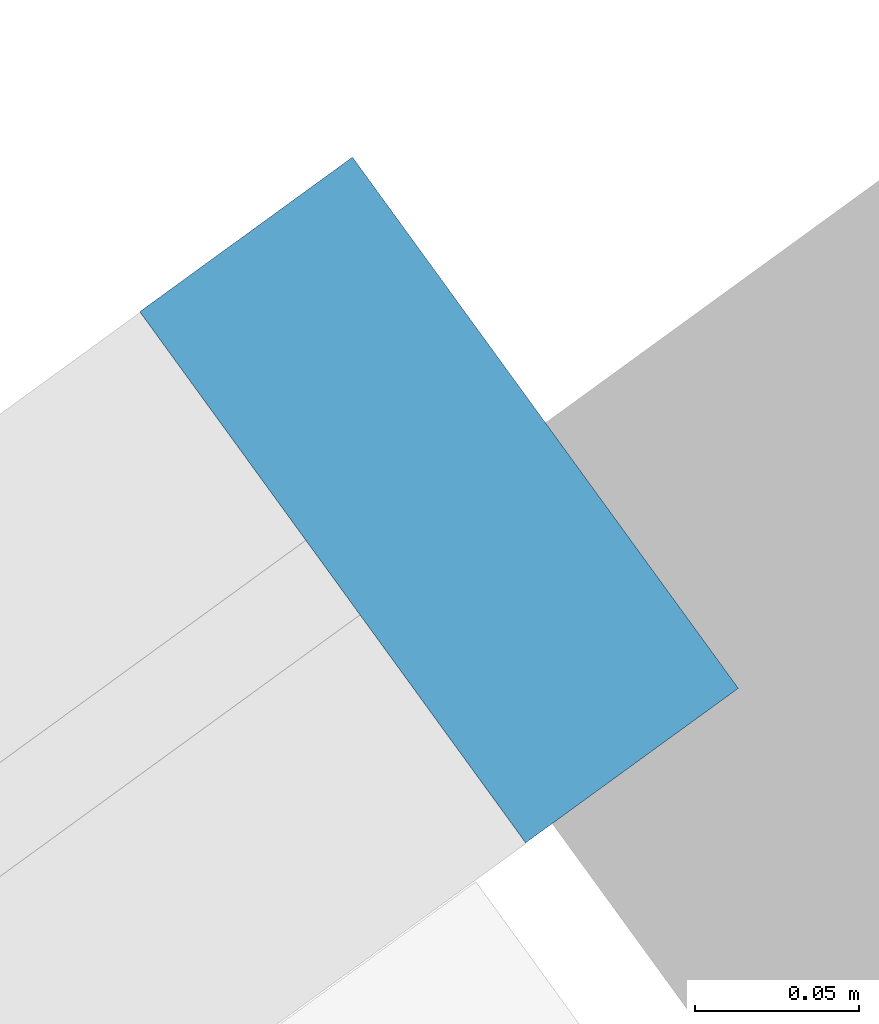
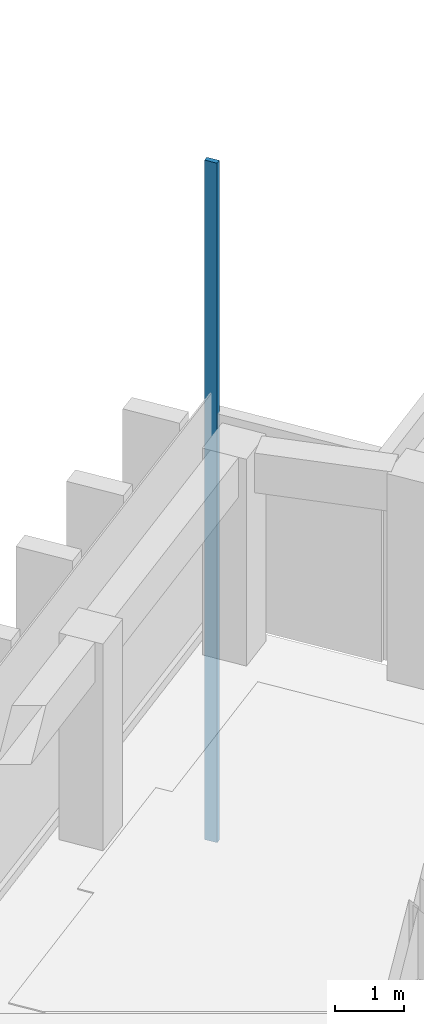
# One storey, part 5 of 14: 1 member, 1 element without a shape of its own.
"""IFC4 building model written with IfcOpenShell, lengths in metres."""

from ifc_helpers import new_model, si_unit, direction, frame, origin, origin_2d, place, context, subcontext, project, spatial, rectangle, extrude, material, material_profile, profile_set, type_object, element, aggregate, save


model = new_model("IFC4")

# Units and contexts
model_context = context("Model", 3, precision=1e-05, world=origin(), true_north=direction((0.0, 1.0)))
body_context = subcontext(model_context, "Body", "Model", "MODEL_VIEW")
ifc_project = project(units=[si_unit("LENGTHUNIT", "METRE"), si_unit("AREAUNIT", "SQUARE_METRE"), si_unit("VOLUMEUNIT", "CUBIC_METRE"), si_unit("PLANEANGLEUNIT", "RADIAN"), si_unit("MASSUNIT", "GRAM", prefix="KILO")], contexts=[model_context])

# Site, building, storey
site_placement = place(None, origin())
site = spatial("IfcSite", under=ifc_project, at=site_placement, CompositionType="ELEMENT")
building_placement = place(site_placement, origin())
building = spatial("IfcBuilding", under=site, at=building_placement, Name="Quipu Civic Tower", CompositionType="ELEMENT")
storey_placement = place(building_placement, frame((0.0, 0.0, 311.0)))
storey = spatial("IfcBuildingStorey", under=building, at=storey_placement, Name="L72", CompositionType="ELEMENT", Elevation=311.0)

# Curtain wall, member
ifc_material_1 = material(Name="Insulated glass unit", Category="glass")
curtain_wall_type = type_object("IfcCurtainWallType", Name="Office curtain wall CW1", PredefinedType="NOTDEFINED", material=ifc_material_1)
curtain_wall_placement = place(storey_placement, origin())
curtain_wall = element("IfcCurtainWall", 1, at=curtain_wall_placement, inside=storey, type_object=curtain_wall_type, Name="Office curtain wall CW1 L71 run 22", PredefinedType="NOTDEFINED")
ifc_material_2 = material(Name="Anodised aluminium", Category="aluminium")
ifc_material_profile = material_profile(ifc_material_2, rectangle(XDim=0.199951171875, YDim=0.080078125, at=origin_2d()), Name="RECT 200x80")
ifc_profile_set = profile_set([ifc_material_profile], Name="Anodised aluminium")
member_type = type_object("IfcMemberType", Name="Mullion CW1", PredefinedType="MULLION", material=ifc_profile_set)
member_placement = place(storey_placement, frame((-28.4111328125, 21.206298828125, -3.919921875), z_axis=(0.0, 0.0, 1.0), x_axis=(0.587787753918, -0.809015176832, 0.0)))
member = element("IfcMember", 2, at=member_placement, type_object=member_type, Name="CW1 mullion 1", PredefinedType="MULLION", context=body_context, shape_type="SweptSolid", body=[
    extrude(rectangle(XDim=0.199951171875, YDim=0.080078125, at=origin_2d()), origin(), (0.0, 0.0, 1.0), 12.0),
])
aggregate(curtain_wall, [member])

save(model, "model.ifc")
